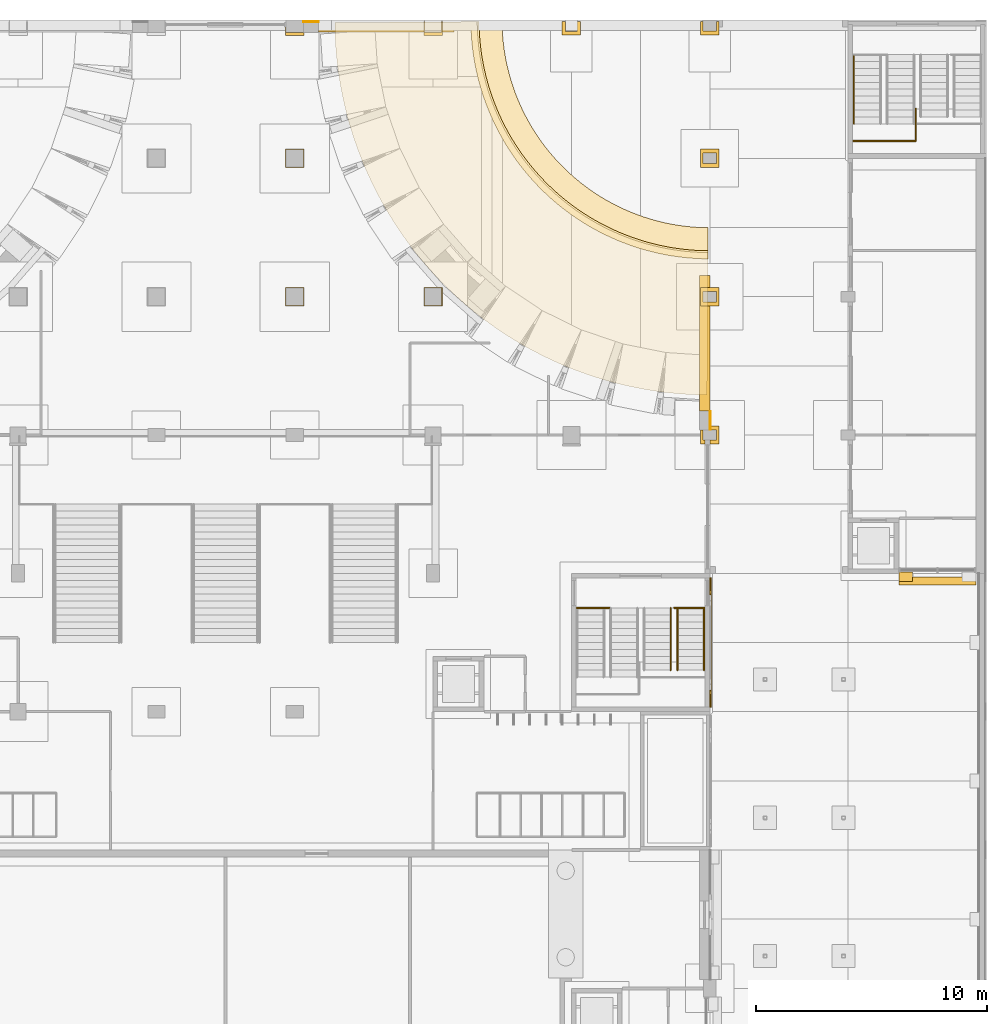
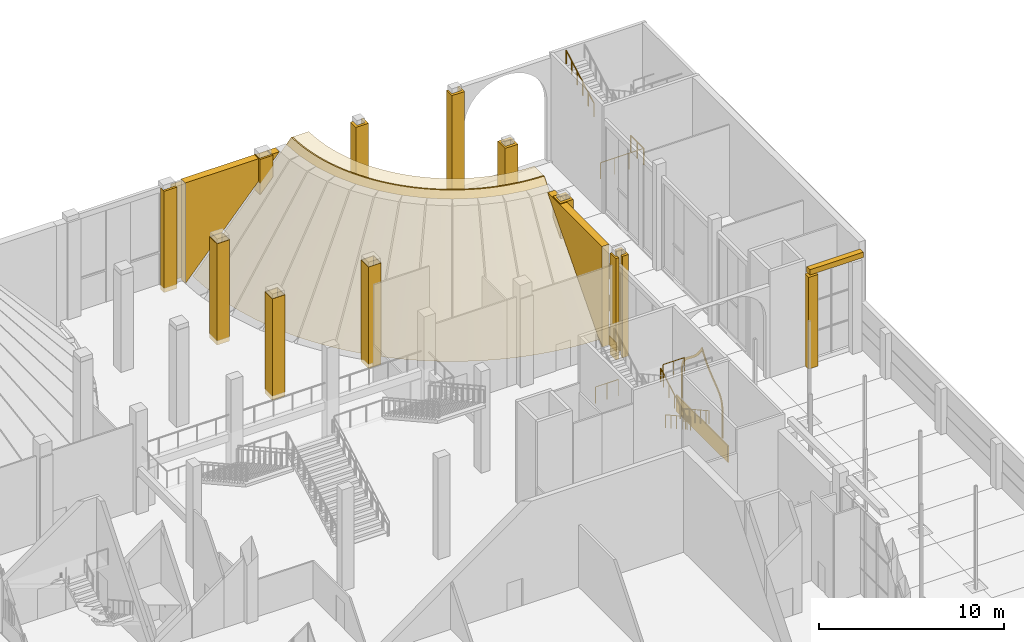
# One storey, part 88 of 95: 24 coverings, 8 railings.
"""IFC4 building model written with IfcOpenShell, lengths in metres."""

from ifc_helpers import new_model, entity, si_unit, direction, frame, origin, origin_2d, place, context, subcontext, project, spatial, polyline, rectangle, circle, outline, extrude, material, layer, layer_set, type_object, element, save


model = new_model("IFC4")

# Units and contexts
model_context = context("Model", 3, precision=1e-05, world=origin(), true_north=direction((0.0, 1.0)))
body_context = subcontext(model_context, "Body", "Model", "MODEL_VIEW")
ifc_project = project(units=[si_unit("LENGTHUNIT", "METRE"), si_unit("AREAUNIT", "SQUARE_METRE"), si_unit("VOLUMEUNIT", "CUBIC_METRE"), si_unit("PLANEANGLEUNIT", "RADIAN"), si_unit("MASSUNIT", "GRAM", prefix="KILO")], contexts=[model_context])

# Site, building, storey
site_placement = place(None, origin())
site = spatial("IfcSite", under=ifc_project, at=site_placement, CompositionType="ELEMENT")
building_placement = place(site_placement, origin())
building = spatial("IfcBuilding", under=site, at=building_placement, Name="Saffron Lane Theatres", CompositionType="ELEMENT")
storey_placement = place(building_placement, origin())
storey = spatial("IfcBuildingStorey", under=building, at=storey_placement, Name="L00", CompositionType="ELEMENT", Elevation=0.0)

# Coverings
ifc_material_1 = material(Name="Masonry sandstone", Category="masonry")
ifc_layer_1 = layer(ifc_material_1, 0.050048828125)
ifc_layer_set_1 = layer_set([ifc_layer_1], Name="Masonry sandstone")
covering_type_1 = type_object("IfcCoveringType", Name="EX-ARCH FRAME RING SANDSTONE 50", PredefinedType="CLADDING", material=ifc_layer_set_1)
covering_1_placement = place(storey_placement, frame((54.0, 96.75, 3.12890625), z_axis=(-1.0, 0.0, 0.0), x_axis=(0.0, 0.063067105822, 0.998009288616)))
element("IfcCovering", 1, at=covering_1_placement, inside=storey, type_object=covering_type_1, Name="Arch recess ring L00", PredefinedType="CLADDING", context=body_context, shape_type="SweptSolid", body=[
    extrude(outline(polyline([(0.0, 0.0), (0.22065410238359984, 0.0), (0.4187134265220611, 0.029560004583244877), (0.5977096136465027, 0.08649981821842359), (0.7591480818830546, 0.16754415025789063), (0.9059345880561891, 0.2683507081522934), (1.0436269965020135, 0.3878343914866551), (1.1763647343450248, 0.5218195761099406), (1.3079077001851873, 0.667867014636728), (1.443005808311013, 0.823719525322545), (1.5854805462929957, 0.9879124792278838), (1.74149756436062, 1.1573653473180439), (1.9128829214646568, 1.3300057147601387), (2.1051636874559483, 1.5042611719162358), (2.322602467400049, 1.6779053315271268), (2.5687309025280785, 1.848757998061501), (2.939299582482729, 2.0687451567247677), (2.5993714153662166, 2.333630674903618), (2.376708378009706, 2.5341076362624033), (2.1828581737781825, 2.733742341436499), (2.0140428055584096, 2.9308165121735614), (1.8657533124027184, 3.1236580619491425), (1.7323086520339435, 3.311402854286392), (1.6116364096191989, 3.4922248302345396), (1.4972321955910908, 3.6638441173757603), (1.3851205499528025, 3.825288798534778), (1.2703052025337076, 3.97491758167241), (1.1487491043664604, 4.110783931167464), (1.0158201165623333, 4.229266523603667), (0.8658679913294249, 4.329988531727124), (0.6954634655937679, 4.409007991296922), (0.5027007929207938, 4.463265173062263), (0.2838019761972683, 4.491041798770807), (-1.59136391374089, 4.609538978068451), (-1.6001865337691579, 4.469924885691299), (0.27108088238534517, 4.35167406227577), (0.47394468647918964, 4.32564461841539), (0.6469894341356787, 4.276792138941024), (0.7970093612615814, 4.208112062862302), (0.9298059868044842, 4.1185038925216135), (1.0502089125366965, 4.010842590258167), (1.1633656797845302, 3.885292123199643), (1.2717436291480344, 3.7421858281426754), (1.3819241364077643, 3.585021850562481), (1.4954153209604875, 3.414438770837703), (1.618203468665377, 3.2322599466484734), (1.7523763915979502, 3.0405550915570396), (1.9052310321305657, 2.842532504699245), (2.0797528345714937, 2.638982037609416), (2.279081215655327, 2.4331300879366635), (2.509399924124821, 2.2260536522840537), (2.691990151832101, 2.0843733579964816), (2.493017257964128, 1.9668051456709819), (2.238463289591504, 1.7903692228565102), (2.0148072651487468, 1.6112468863933098), (1.816050202804688, 1.4312849950160573), (1.639483808618438, 1.2540794801970379), (1.4822458162227838, 1.080789727293752), (1.3375012005243339, 0.9155170755147108), (1.203439299814951, 0.7605775943042786), (1.0743509786028422, 0.6185337089889347), (0.9488205009470336, 0.4902087668589081), (0.820759202831201, 0.3799015700062919), (0.6877613326258244, 0.28825340008036515), (0.5447409379751207, 0.21607490839936183), (0.3872687454152185, 0.16682615252251398), (0.2094508525427381, 0.1401457024385599), (0.004924146244612728, 0.13986044825926805), (-1.8663432699098903, 0.2581112716747965), (-1.8751658899381582, 0.11849717929764414), (0.0, 0.0)])), origin(), (0.0, 0.0, -1.0), 0.050048828125),
])
ifc_material_2 = material(Name="Masonry pale clay brick", Category="masonry")
ifc_layer_2 = layer(ifc_material_2, 0.449951171875)
ifc_layer_set_2 = layer_set([ifc_layer_2], Name="Masonry pale clay brick")
covering_type_2 = type_object("IfcCoveringType", Name="EX-END INFILL CLADDING BRICK 450", PredefinedType="CLADDING", material=ifc_layer_set_2)
covering_2_placement = place(storey_placement, frame((37.03173828125, 125.93994140625, 0.0), z_axis=(0.0, 1.0, 0.0), x_axis=(0.0, 0.0, 1.0)))
element("IfcCovering", 2, at=covering_2_placement, inside=storey, type_object=covering_type_2, Name="Wall end infill L00 11", PredefinedType="CLADDING", context=body_context, shape_type="SweptSolid", body=[
    extrude(outline(polyline([(0.0, 0.0), (6.64990234375, 0.0), (6.64990234375, 5.880859375), (0.0, 0.0)])), origin(), (0.0, 0.0, -1.0), 0.449951171875),
])
covering_3_placement = place(storey_placement, frame((54.0, 109.03125, 6.64990234375), z_axis=(1.0, 0.0, 0.0), x_axis=(0.0, 0.0, -1.0)))
element("IfcCovering", 3, at=covering_3_placement, inside=storey, type_object=covering_type_2, Name="Wall end infill L00 13", PredefinedType="CLADDING", context=body_context, shape_type="SweptSolid", body=[
    extrude(outline(polyline([(0.0, 0.0), (6.64990234375, 0.0), (0.0, 5.880859375), (0.0, 0.0)])), origin(), (0.0, 0.0, -1.0), 0.449951171875),
])
ifc_material_3 = material(Name="Face brick cladding, pale buff", Category="masonry")
ifc_layer_3 = layer(ifc_material_3, 0.0400390625)
ifc_layer_set_3 = layer_set([ifc_layer_3], Name="Face brick cladding, pale buff")
covering_type_3 = type_object("IfcCoveringType", Name="EX-FACE BRICK CLADDING PALE BUFF 40", PredefinedType="CLADDING", material=ifc_layer_set_3)
covering_4_placement = place(storey_placement, frame((36.702880859375, 125.919921875, 0.150146484375), z_axis=(0.0, 0.0, 1.0), x_axis=(1.0, 0.0, 0.0)))
element("IfcCovering", 4, at=covering_4_placement, inside=storey, type_object=covering_type_3, Name="Cladding course L00", PredefinedType="CLADDING", context=body_context, shape_type="SweptSolid", body=[
    extrude(rectangle(XDim=0.656982421875, YDim=0.0400390625, at=origin_2d()), origin(), (0.0, 0.0, 1.0), 6.39990234375),
])
for number, where, z_axis, x_axis, name in (
    (5, (54.02001953125, 108.6279296875, 0.14990234375), (0.0, 0.0, 1.0), (0.0, -1.0, 0.0), "Cladding course L00"),
    (6, (54.02001953125, 108.6279296875, 2.25), (0.0, 0.0, 1.0), (0.0, -1.0, 0.0), "Cladding course L00"),
    (7, (54.02001953125, 108.6279296875, 4.35009765625), (0.0, 0.0, 1.0), (0.0, -1.0, 0.0), "Cladding course L00"),
):
    element("IfcCovering", number, at=place(storey_placement, frame(where, z_axis=z_axis, x_axis=x_axis)), inside=storey, type_object=covering_type_3, Name=name, PredefinedType="CLADDING", context=body_context, shape_type="SweptSolid", body=[
        extrude(rectangle(XDim=0.805908203125, YDim=0.0400390625, at=origin_2d()), origin(), (0.0, 0.0, 1.0), 1.050048828125),
    ])
ifc_material_4 = material(Name="Face brick cladding, pale buff", Category="masonry")
ifc_layer_4 = layer(ifc_material_4, 0.10009765625)
ifc_layer_set_4 = layer_set([ifc_layer_4], Name="Face brick cladding, pale buff")
covering_type_4 = type_object("IfcCoveringType", Name="EX-PIER CASING FACE BRICK PALE BUFF 800", PredefinedType="CLADDING", material=ifc_layer_set_4)
covering_5_placement = place(storey_placement, origin())
element("IfcCovering", 8, at=covering_5_placement, inside=storey, type_object=covering_type_4, Name="Pier casing L00 3", PredefinedType="CLADDING", context=body_context, shape_type="SweptSolid", body=[
    extrude(outline(polyline([(54.39990234375, 108.39990234375), (54.00390625, 108.39990234375), (54.00390625, 108.22509765625), (54.00390625, 108.22509765625), (54.300048828125, 108.22509765625), (54.300048828125, 107.77490234375), (54.00390625, 107.77490234375), (54.00390625, 107.77490234375), (54.00390625, 107.60009765625), (54.39990234375, 107.60009765625), (54.39990234375, 108.39990234375)])), origin(), (0.0, 0.0, 1.0), 6.699951171875),
])
covering_6_placement = place(storey_placement, origin())
element("IfcCovering", 9, at=covering_6_placement, inside=storey, type_object=covering_type_4, Name="Pier casing L00 4", PredefinedType="CLADDING", context=body_context, shape_type="SweptSolid", body=[
    extrude(outline(polyline([(53.60009765625, 107.60009765625), (53.7958984375, 107.60009765625), (53.7958984375, 107.77490234375), (53.7958984375, 107.77490234375), (53.699951171875, 107.77490234375), (53.699951171875, 108.22119140625), (53.60009765625, 108.22119140625), (53.60009765625, 107.60009765625)])), origin(), (0.0, 0.0, 1.0), 6.699951171875),
])
covering_7_placement = place(storey_placement, origin())
element("IfcCovering", 10, at=covering_7_placement, inside=storey, type_object=covering_type_4, Name="Pier casing L00 8", PredefinedType="CLADDING", context=body_context, shape_type="SweptSolid", body=[
    extrude(outline(polyline([(36.39990234375, 114.39990234375), (35.60009765625, 114.39990234375), (35.60009765625, 113.60009765625), (36.39990234375, 113.60009765625), (36.39990234375, 114.39990234375)]), holes=[polyline([(35.625, 114.375), (36.375, 114.375), (36.375, 113.625), (35.625, 113.625), (35.625, 114.375)])]), origin(), (0.0, 0.0, 1.0), 6.699951171875),
])
covering_8_placement = place(storey_placement, origin())
element("IfcCovering", 11, at=covering_8_placement, inside=storey, type_object=covering_type_4, Name="Pier casing L00 9", PredefinedType="CLADDING", context=body_context, shape_type="SweptSolid", body=[
    extrude(outline(polyline([(42.39990234375, 114.39990234375), (41.60009765625, 114.39990234375), (41.60009765625, 113.60009765625), (42.39990234375, 113.60009765625), (42.39990234375, 114.39990234375)]), holes=[polyline([(41.625, 114.375), (42.375, 114.375), (42.375, 113.625), (41.625, 113.625), (41.625, 114.375)])]), origin(), (0.0, 0.0, 1.0), 6.699951171875),
])
covering_9_placement = place(storey_placement, origin())
element("IfcCovering", 12, at=covering_9_placement, inside=storey, type_object=covering_type_4, Name="Pier casing L00 10", PredefinedType="CLADDING", context=body_context, shape_type="SweptSolid", body=[
    extrude(outline(polyline([(54.39990234375, 114.39990234375), (53.60009765625, 114.39990234375), (53.60009765625, 113.60009765625), (54.39990234375, 113.60009765625), (54.39990234375, 114.39990234375)]), holes=[polyline([(53.699951171875, 114.22509765625), (54.300048828125, 114.22509765625), (54.300048828125, 113.77490234375), (53.699951171875, 113.77490234375), (53.699951171875, 114.22509765625)])]), origin(), (0.0, 0.0, 1.0), 6.699951171875),
])
covering_10_placement = place(storey_placement, origin())
element("IfcCovering", 13, at=covering_10_placement, inside=storey, type_object=covering_type_4, Name="Pier casing L00 13", PredefinedType="CLADDING", context=body_context, shape_type="SweptSolid", body=[
    extrude(outline(polyline([(36.39990234375, 120.39990234375), (35.60009765625, 120.39990234375), (35.60009765625, 119.60009765625), (36.39990234375, 119.60009765625), (36.39990234375, 120.39990234375)]), holes=[polyline([(35.625, 120.375), (36.375, 120.375), (36.375, 119.625), (35.625, 119.625), (35.625, 120.375)])]), origin(), (0.0, 0.0, 1.0), 6.699951171875),
])
covering_11_placement = place(storey_placement, origin())
element("IfcCovering", 14, at=covering_11_placement, inside=storey, type_object=covering_type_4, Name="Pier casing L00 14", PredefinedType="CLADDING", context=body_context, shape_type="SweptSolid", body=[
    extrude(outline(polyline([(54.39990234375, 120.39990234375), (53.60009765625, 120.39990234375), (53.60009765625, 119.60009765625), (54.39990234375, 119.60009765625), (54.39990234375, 120.39990234375)]), holes=[polyline([(53.699951171875, 120.22509765625), (54.300048828125, 120.22509765625), (54.300048828125, 119.77490234375), (53.699951171875, 119.77490234375), (53.699951171875, 120.22509765625)])]), origin(), (0.0, 0.0, 1.0), 6.699951171875),
])
covering_12_placement = place(storey_placement, origin())
element("IfcCovering", 15, at=covering_12_placement, inside=storey, type_object=covering_type_4, Name="Pier casing L00 19", PredefinedType="CLADDING", context=body_context, shape_type="SweptSolid", body=[
    extrude(outline(polyline([(35.60009765625, 125.696044921875), (35.60009765625, 125.324462890625), (36.39990234375, 125.324462890625), (36.39990234375, 125.446044921875), (36.375, 125.446044921875), (36.37451171875, 125.446044921875), (36.374267578125, 125.446044921875), (36.373779296875, 125.4462890625), (36.37353515625, 125.4462890625), (36.373046875, 125.446533203125), (36.372802734375, 125.44677734375), (36.37255859375, 125.447021484375), (36.3720703125, 125.447265625), (36.371826171875, 125.447509765625), (36.37158203125, 125.44775390625), (36.37158203125, 125.4482421875), (36.371337890625, 125.448486328125), (36.37109375, 125.448974609375), (36.37109375, 125.44921875), (36.37109375, 125.449462890625), (35.625, 125.449462890625), (35.625, 125.696044921875), (35.60009765625, 125.696044921875)])), origin(), (0.0, 0.0, 1.0), 6.699951171875),
])
covering_13_placement = place(storey_placement, origin())
element("IfcCovering", 16, at=covering_13_placement, inside=storey, type_object=covering_type_4, Name="Pier casing L00 20", PredefinedType="CLADDING", context=body_context, shape_type="SweptSolid", body=[
    extrude(outline(polyline([(41.60009765625, 125.93994140625), (41.60009765625, 125.324462890625), (42.39990234375, 125.324462890625), (42.39990234375, 125.93994140625), (42.375, 125.93994140625), (42.375, 125.449462890625), (41.625, 125.449462890625), (41.625, 125.93994140625), (41.60009765625, 125.93994140625)])), origin(), (0.0, 0.0, 1.0), 6.699951171875),
])
covering_14_placement = place(storey_placement, origin())
element("IfcCovering", 17, at=covering_14_placement, inside=storey, type_object=covering_type_4, Name="Pier casing L00 21", PredefinedType="CLADDING", context=body_context, shape_type="SweptSolid", body=[
    extrude(outline(polyline([(47.60009765625, 125.93994140625), (47.60009765625, 125.349609375), (48.39990234375, 125.349609375), (48.39990234375, 125.93994140625), (48.25, 125.93994140625), (48.25, 125.49951171875), (47.75, 125.49951171875), (47.75, 125.93994140625), (47.60009765625, 125.93994140625)])), origin(), (0.0, 0.0, 1.0), 6.699951171875),
])
covering_15_placement = place(storey_placement, origin())
element("IfcCovering", 18, at=covering_15_placement, inside=storey, type_object=covering_type_4, Name="Pier casing L00 22", PredefinedType="CLADDING", context=body_context, shape_type="SweptSolid", body=[
    extrude(outline(polyline([(53.60009765625, 125.93994140625), (53.60009765625, 125.349609375), (54.39990234375, 125.349609375), (54.39990234375, 125.93994140625), (54.300048828125, 125.93994140625), (54.300048828125, 125.5244140625), (53.699951171875, 125.5244140625), (53.699951171875, 125.93994140625), (53.60009765625, 125.93994140625)])), origin(), (0.0, 0.0, 1.0), 6.699951171875),
])
ifc_material_5 = material(Name="Masonry sandstone", Category="masonry")
ifc_layer_5 = layer(ifc_material_5, 0.39990234375)
ifc_layer_set_5 = layer_set([ifc_layer_5], Name="Masonry sandstone")
covering_type_5 = type_object("IfcCoveringType", Name="EX-PILASTER PIER SANDSTONE 400", PredefinedType="CLADDING", material=ifc_layer_set_5)
covering_16_placement = place(storey_placement, frame((62.5, 101.85009765625, 0.0), z_axis=(0.0, 0.0, 1.0), x_axis=(-1.0, 0.0, 0.0)))
element("IfcCovering", 19, at=covering_16_placement, inside=storey, type_object=covering_type_5, Name="Pilaster pier L00", PredefinedType="CLADDING", context=body_context, shape_type="SweptSolid", body=[
    extrude(rectangle(XDim=0.60009765625, YDim=0.39990234375, at=origin_2d()), origin(), (0.0, 0.0, 1.0), 6.050048828125),
])
ifc_material_6 = material(Name="Masonry bluestone", Category="masonry")
ifc_layer_6 = layer(ifc_material_6, 0.0400390625)
ifc_layer_set_6 = layer_set([ifc_layer_6], Name="Masonry bluestone")
covering_type_6 = type_object("IfcCoveringType", Name="EX-PLINTH BLUESTONE 600", PredefinedType="CLADDING", material=ifc_layer_set_6)
covering_17_placement = place(storey_placement, frame((54.02001953125, 108.628173828125, 0.0), z_axis=(0.0, 0.0, 1.0), x_axis=(0.0, -1.0, 0.0)))
element("IfcCovering", 20, at=covering_17_placement, inside=storey, type_object=covering_type_6, Name="Facade plinth L00", PredefinedType="CLADDING", context=body_context, shape_type="SweptSolid", body=[
    extrude(rectangle(XDim=0.80615234375, YDim=0.0400390625, at=origin_2d()), origin(), (0.0, 0.0, 1.0), 0.60009765625),
])
ifc_material_7 = material(Name="Masonry sandstone", Category="masonry")
ifc_layer_7 = layer(ifc_material_7, 0.070068359375)
ifc_layer_set_7 = layer_set([ifc_layer_7], Name="Masonry sandstone")
covering_type_7 = type_object("IfcCoveringType", Name="EX-PLINTH COURSE SANDSTONE 70", PredefinedType="CLADDING", material=ifc_layer_set_7)
covering_18_placement = place(storey_placement, frame((54.034912109375, 99.0, 0.0), z_axis=(0.0, 0.0, 1.0), x_axis=(0.0, 1.0, 0.0)))
element("IfcCovering", 21, at=covering_18_placement, inside=storey, type_object=covering_type_7, Name="Plinth course L00", PredefinedType="CLADDING", context=body_context, shape_type="SweptSolid", body=[
    extrude(rectangle(XDim=5.60009765625, YDim=0.070068359375, at=origin_2d()), origin(), (0.0, 0.0, 1.0), 1.10009765625),
])
ifc_material_8 = material(Name="Face brick cladding, pale buff", Category="masonry")
ifc_layer_8 = layer(ifc_material_8, 0.080078125)
ifc_layer_set_8 = layer_set([ifc_layer_8], Name="Face brick cladding, pale buff")
covering_type_8 = type_object("IfcCoveringType", Name="EX-SCOOP SKIN FACE BRICK PALE BUFF 80", PredefinedType="CLADDING", material=ifc_layer_set_8)
covering_19_placement = place(storey_placement, frame((54.0, 125.99951171875, 0.0), z_axis=(0.0, 0.0, 1.0), x_axis=(-0.999976, -0.006995, 0.0)))
cartesian_point_1 = entity("IfcCartesianPoint", [16.18505859375, 0.0])
cartesian_point_2 = entity("IfcCartesianPoint", [0.0, 0.0, 0.0])
element("IfcCovering", 22, at=covering_19_placement, inside=storey, type_object=covering_type_8, Name="Scoop skin NE L00", PredefinedType="CLADDING", context=body_context, shape_type="SweptSolid", body=[
    entity("IfcRevolvedAreaSolid", entity("IfcArbitraryClosedProfileDef", "AREA", None, entity("IfcPolyline", [cartesian_point_1, entity("IfcCartesianPoint", [16.26513671875, 0.0]), entity("IfcCartesianPoint", [10.087890625, 7.0]), entity("IfcCartesianPoint", [10.0078125, 7.0]), cartesian_point_1])), entity("IfcAxis2Placement3D", cartesian_point_2, entity("IfcDirection", [0.0, -1.0, 0.0]), entity("IfcDirection", [1.0, 0.0, 0.0])), entity("IfcAxis1Placement", cartesian_point_2, entity("IfcDirection", [0.0, 1.0, 0.0])), 1.556807),
])
ifc_material_9 = material(Name="Masonry sandstone", Category="masonry")
ifc_layer_9 = layer(ifc_material_9, 0.39990234375)
ifc_layer_set_9 = layer_set([ifc_layer_9], Name="Masonry sandstone")
covering_type_9 = type_object("IfcCoveringType", Name="EX-SCOOP STEP SANDSTONE 700", PredefinedType="CLADDING", material=ifc_layer_set_9)
covering_20_placement = place(storey_placement, frame((54.0, 125.99951171875, 0.0), z_axis=(0.0, 0.0, 1.0), x_axis=(-0.99997, -0.007771, 0.0)))
cartesian_point_3 = entity("IfcCartesianPoint", [9.0078125, 6.60009765625])
cartesian_point_4 = entity("IfcCartesianPoint", [0.0, 0.0, 0.0])
element("IfcCovering", 23, at=covering_20_placement, inside=storey, type_object=covering_type_9, Name="Floor step NE L01", PredefinedType="CLADDING", context=body_context, shape_type="SweptSolid", body=[
    entity("IfcRevolvedAreaSolid", entity("IfcArbitraryClosedProfileDef", "AREA", None, entity("IfcPolyline", [cartesian_point_3, entity("IfcCartesianPoint", [10.36083984375, 6.60009765625]), entity("IfcCartesianPoint", [10.0078125, 7.0]), entity("IfcCartesianPoint", [9.0078125, 7.0]), cartesian_point_3])), entity("IfcAxis2Placement3D", cartesian_point_4, entity("IfcDirection", [0.0, -1.0, 0.0]), entity("IfcDirection", [1.0, 0.0, 0.0])), entity("IfcAxis1Placement", cartesian_point_4, entity("IfcDirection", [0.0, 1.0, 0.0])), 1.555254),
])
ifc_material_10 = material(Name="Masonry sandstone", Category="masonry")
ifc_layer_10 = layer(ifc_material_10, 0.300048828125)
ifc_layer_set_10 = layer_set([ifc_layer_10], Name="Masonry sandstone")
covering_type_10 = type_object("IfcCoveringType", Name="EX-STRING COURSE SANDSTONE 350", PredefinedType="CLADDING", material=ifc_layer_set_10)
covering_21_placement = place(storey_placement, frame((63.8701171875, 101.675048828125, 6.300048828125), z_axis=(0.0, 0.0, 1.0), x_axis=(-1.0, 0.0, 0.0)))
element("IfcCovering", 24, at=covering_21_placement, inside=storey, type_object=covering_type_10, Name="String course L00", PredefinedType="CLADDING", context=body_context, shape_type="SweptSolid", body=[
    extrude(rectangle(XDim=3.340087890625, YDim=0.35009765625, at=origin_2d()), origin(), (0.0, 0.0, 1.0), 0.35009765625),
])

# Railings
ifc_material_11 = material(Name="Steel Grade 350", Category="steel")
railing_type_1 = type_object("IfcRailingType", Name="VC-GUARD 1100", PredefinedType="GUARDRAIL", material=ifc_material_11)
railing_1_placement = place(storey_placement, frame((53.77001953125, 100.5, 3.333251953125)))
element("IfcRailing", 25, at=railing_1_placement, inside=storey, type_object=railing_type_1, Name="Brick Block East Stair landing guard 1S2w", PredefinedType="GUARDRAIL", context=body_context, shape_type="SweptSolid", body=[
    extrude(circle(Radius=0.02392578125, at=origin_2d()), frame((0.0, 0.0, 1.076171875), z_axis=(-1.0, 0.0, 0.0), x_axis=(0.0, -1.0, 0.0)), (0.0, 0.0, 1.0), 1.320068359375),
    extrude(circle(Radius=0.02099609375, at=origin_2d()), origin(), (0.0, 0.0, 1.0), 1.052001953125),
    extrude(circle(Radius=0.02099609375, at=origin_2d()), frame((-0.66015625, 0.0, 0.0)), (0.0, 0.0, 1.0), 1.052001953125),
    extrude(circle(Radius=0.02099609375, at=origin_2d()), frame((-1.320068359375, 0.0, 0.0)), (0.0, 0.0, 1.0), 1.052001953125),
])
railing_2_placement = place(storey_placement, frame((49.64990234375, 100.5, 3.333251953125)))
element("IfcRailing", 26, at=railing_2_placement, inside=storey, type_object=railing_type_1, Name="Brick Block East Stair landing guard 1S2e", PredefinedType="GUARDRAIL", context=body_context, shape_type="SweptSolid", body=[
    extrude(circle(Radius=0.02392578125, at=origin_2d()), frame((0.0, 0.0, 1.076171875), z_axis=(-1.0, 0.0, 0.0), x_axis=(0.0, -1.0, 0.0)), (0.0, 0.0, 1.0), 1.419921875),
    extrude(circle(Radius=0.02099609375, at=origin_2d()), origin(), (0.0, 0.0, 1.0), 1.052001953125),
    extrude(circle(Radius=0.02099609375, at=origin_2d()), frame((-0.7099609375, 0.0, 0.0)), (0.0, 0.0, 1.0), 1.052001953125),
    extrude(circle(Radius=0.02099609375, at=origin_2d()), frame((-1.419921875, 0.0, 0.0)), (0.0, 0.0, 1.0), 1.052001953125),
])
railing_3_placement = place(storey_placement, frame((62.89990234375, 120.75, 1.666748046875)))
element("IfcRailing", 27, at=railing_3_placement, inside=storey, type_object=railing_type_1, Name="East Wing Street Stair landing guard 1N1s", PredefinedType="GUARDRAIL", context=body_context, shape_type="SweptSolid", body=[
    extrude(circle(Radius=0.02392578125, at=origin_2d()), frame((0.0, 0.0, 1.076171875), z_axis=(-1.0, 0.0, 0.0), x_axis=(0.0, -1.0, 0.0)), (0.0, 0.0, 1.0), 2.669921875),
    extrude(circle(Radius=0.02099609375, at=origin_2d()), origin(), (0.0, 0.0, 1.0), 1.052001953125),
    extrude(circle(Radius=0.02099609375, at=origin_2d()), frame((-0.889892578125, 0.0, 0.0)), (0.0, 0.0, 1.0), 1.052001953125),
    extrude(circle(Radius=0.02099609375, at=origin_2d()), frame((-1.780029296875, 0.0, 0.0)), (0.0, 0.0, 1.0), 1.052001953125),
    extrude(circle(Radius=0.02099609375, at=origin_2d()), frame((-2.669921875, 0.0, 0.0)), (0.0, 0.0, 1.0), 1.052001953125),
])
railing_4_placement = place(storey_placement, frame((62.929931640625, 122.14990234375, 1.666748046875)))
element("IfcRailing", 28, at=railing_4_placement, inside=storey, type_object=railing_type_1, Name="East Wing Street Stair landing guard 1N1e", PredefinedType="GUARDRAIL", context=body_context, shape_type="SweptSolid", body=[
    extrude(circle(Radius=0.02392578125, at=origin_2d()), frame((0.0, 0.0, 1.076171875), z_axis=(0.0, -1.0, 0.0), x_axis=(1.0, 0.0, 0.0)), (0.0, 0.0, 1.0), 1.39990234375),
    extrude(circle(Radius=0.02099609375, at=origin_2d()), origin(), (0.0, 0.0, 1.0), 1.052001953125),
    extrude(circle(Radius=0.02099609375, at=origin_2d()), frame((0.0, -0.699951171875, 0.0)), (0.0, 0.0, 1.0), 1.052001953125),
    extrude(circle(Radius=0.02099609375, at=origin_2d()), frame((0.0, -1.39990234375, 0.0)), (0.0, 0.0, 1.0), 1.052001953125),
])
ifc_material_12 = material(Name="Steel Grade 350", Category="steel")
railing_type_2 = type_object("IfcRailingType", Name="VC-HANDRAIL 900", PredefinedType="HANDRAIL", material=ifc_material_12)
railing_5_placement = place(storey_placement, frame((53.75, 100.5, 0.166748046875)))
element("IfcRailing", 29, at=railing_5_placement, inside=storey, type_object=railing_type_2, Name="Brick Block East Stair handrail 1.1a", PredefinedType="HANDRAIL", context=body_context, shape_type="SweptSolid", body=[
    extrude(circle(Radius=0.02392578125, at=origin_2d()), frame((0.0, 0.0, 0.8759765625), z_axis=(0.0, -0.874241147926, 0.485491931212), x_axis=(1.0, 0.0, 0.0)), (0.0, 0.0, 1.0), 0.6865234375),
    extrude(circle(Radius=0.02392578125, at=origin_2d()), frame((0.0, -0.60009765625, 1.208984375), z_axis=(0.0, -0.874157276122, 0.485642931179), x_axis=(1.0, 0.0, 0.0)), (0.0, 0.0, 1.0), 0.686279296875),
    extrude(circle(Radius=0.02392578125, at=origin_2d()), frame((0.0, -1.199951171875, 1.54248046875), z_axis=(0.0, -0.874090171491, 0.485763699861), x_axis=(1.0, 0.0, 0.0)), (0.0, 0.0, 1.0), 0.6865234375),
    extrude(circle(Radius=0.02392578125, at=origin_2d()), frame((0.0, -1.800048828125, 1.8759765625), z_axis=(0.0, -0.874157276122, 0.485642931179), x_axis=(1.0, 0.0, 0.0)), (0.0, 0.0, 1.0), 0.686279296875),
    extrude(circle(Radius=0.02392578125, at=origin_2d()), frame((0.0, -2.39990234375, 2.208984375), z_axis=(0.0, -0.874090171491, 0.485763699861), x_axis=(1.0, 0.0, 0.0)), (0.0, 0.0, 1.0), 0.34326171875),
    extrude(circle(Radius=0.02099609375, at=origin_2d()), origin(), (0.0, 0.0, 1.0), 0.851806640625),
    extrude(circle(Radius=0.02099609375, at=origin_2d()), frame((0.0, -0.60009765625, 0.333251953125)), (0.0, 0.0, 1.0), 0.851806640625),
    extrude(circle(Radius=0.02099609375, at=origin_2d()), frame((0.0, -1.199951171875, 0.66650390625)), (0.0, 0.0, 1.0), 0.851806640625),
    extrude(circle(Radius=0.02099609375, at=origin_2d()), frame((0.0, -1.800048828125, 1.0)), (0.0, 0.0, 1.0), 0.851806640625),
    extrude(circle(Radius=0.02099609375, at=origin_2d()), frame((0.0, -2.39990234375, 1.333251953125)), (0.0, 0.0, 1.0), 0.851806640625),
    extrude(circle(Radius=0.02099609375, at=origin_2d()), frame((0.0, -2.699951171875, 1.5)), (0.0, 0.0, 1.0), 0.851806640625),
])
railing_6_placement = place(storey_placement, frame((52.60009765625, 100.5, 0.166748046875)))
element("IfcRailing", 30, at=railing_6_placement, inside=storey, type_object=railing_type_2, Name="Brick Block East Stair handrail 1.1b", PredefinedType="HANDRAIL", context=body_context, shape_type="SweptSolid", body=[
    extrude(circle(Radius=0.02392578125, at=origin_2d()), frame((0.0, 0.0, 0.8759765625), z_axis=(0.0, -0.874241147926, 0.485491931212), x_axis=(1.0, 0.0, 0.0)), (0.0, 0.0, 1.0), 0.6865234375),
    extrude(circle(Radius=0.02392578125, at=origin_2d()), frame((0.0, -0.60009765625, 1.208984375), z_axis=(0.0, -0.874157276122, 0.485642931179), x_axis=(1.0, 0.0, 0.0)), (0.0, 0.0, 1.0), 0.686279296875),
    extrude(circle(Radius=0.02392578125, at=origin_2d()), frame((0.0, -1.199951171875, 1.54248046875), z_axis=(0.0, -0.874090171491, 0.485763699861), x_axis=(1.0, 0.0, 0.0)), (0.0, 0.0, 1.0), 0.6865234375),
    extrude(circle(Radius=0.02392578125, at=origin_2d()), frame((0.0, -1.800048828125, 1.8759765625), z_axis=(0.0, -0.874157276122, 0.485642931179), x_axis=(1.0, 0.0, 0.0)), (0.0, 0.0, 1.0), 0.686279296875),
    extrude(circle(Radius=0.02392578125, at=origin_2d()), frame((0.0, -2.39990234375, 2.208984375), z_axis=(0.0, -0.874090171491, 0.485763699861), x_axis=(1.0, 0.0, 0.0)), (0.0, 0.0, 1.0), 0.34326171875),
    extrude(circle(Radius=0.02099609375, at=origin_2d()), origin(), (0.0, 0.0, 1.0), 0.851806640625),
    extrude(circle(Radius=0.02099609375, at=origin_2d()), frame((0.0, -0.60009765625, 0.333251953125)), (0.0, 0.0, 1.0), 0.851806640625),
    extrude(circle(Radius=0.02099609375, at=origin_2d()), frame((0.0, -1.199951171875, 0.66650390625)), (0.0, 0.0, 1.0), 0.851806640625),
    extrude(circle(Radius=0.02099609375, at=origin_2d()), frame((0.0, -1.800048828125, 1.0)), (0.0, 0.0, 1.0), 0.851806640625),
    extrude(circle(Radius=0.02099609375, at=origin_2d()), frame((0.0, -2.39990234375, 1.333251953125)), (0.0, 0.0, 1.0), 0.851806640625),
    extrude(circle(Radius=0.02099609375, at=origin_2d()), frame((0.0, -2.699951171875, 1.5)), (0.0, 0.0, 1.0), 0.851806640625),
])
railing_7_placement = place(storey_placement, frame((52.300048828125, 97.800048828125, 1.833251953125)))
element("IfcRailing", 31, at=railing_7_placement, inside=storey, type_object=railing_type_2, Name="Brick Block East Stair handrail 1.2a", PredefinedType="HANDRAIL", context=body_context, shape_type="SweptSolid", body=[
    extrude(circle(Radius=0.02392578125, at=origin_2d()), frame((0.0, 0.0, 0.8759765625), z_axis=(0.0, 0.874006220275, 0.485914732151), x_axis=(-1.0, 0.0, 0.0)), (0.0, 0.0, 1.0), 0.686279296875),
    extrude(circle(Radius=0.02392578125, at=origin_2d()), frame((0.0, 0.599853515625, 1.20947265625), z_axis=(0.0, 0.874241147926, 0.485491931212), x_axis=(-1.0, 0.0, 0.0)), (0.0, 0.0, 1.0), 0.6865234375),
    extrude(circle(Radius=0.02392578125, at=origin_2d()), frame((0.0, 1.199951171875, 1.54248046875), z_axis=(0.0, 0.874241147926, 0.485491931212), x_axis=(-1.0, 0.0, 0.0)), (0.0, 0.0, 1.0), 0.6865234375),
    extrude(circle(Radius=0.02392578125, at=origin_2d()), frame((0.0, 1.800048828125, 1.8759765625), z_axis=(0.0, 0.874006220275, 0.485914732151), x_axis=(-1.0, 0.0, 0.0)), (0.0, 0.0, 1.0), 0.686279296875),
    extrude(circle(Radius=0.02392578125, at=origin_2d()), frame((0.0, 2.39990234375, 2.20947265625), z_axis=(0.0, 0.87439209197, 0.485220021744), x_axis=(-1.0, 0.0, 0.0)), (0.0, 0.0, 1.0), 0.34326171875),
    extrude(circle(Radius=0.02099609375, at=origin_2d()), origin(), (0.0, 0.0, 1.0), 0.851806640625),
    extrude(circle(Radius=0.02099609375, at=origin_2d()), frame((0.0, 0.599853515625, 0.33349609375)), (0.0, 0.0, 1.0), 0.851806640625),
    extrude(circle(Radius=0.02099609375, at=origin_2d()), frame((0.0, 1.199951171875, 0.666748046875)), (0.0, 0.0, 1.0), 0.851806640625),
    extrude(circle(Radius=0.02099609375, at=origin_2d()), frame((0.0, 1.800048828125, 1.0)), (0.0, 0.0, 1.0), 0.851806640625),
    extrude(circle(Radius=0.02099609375, at=origin_2d()), frame((0.0, 2.39990234375, 1.33349609375)), (0.0, 0.0, 1.0), 0.851806640625),
    extrude(circle(Radius=0.02099609375, at=origin_2d()), frame((0.0, 2.699951171875, 1.5)), (0.0, 0.0, 1.0), 0.851806640625),
])
railing_8_placement = place(storey_placement, frame((60.25, 121.5, 5.333251953125)))
element("IfcRailing", 32, at=railing_8_placement, inside=storey, type_object=railing_type_2, Name="East Wing Street Stair handrail 1.4b", PredefinedType="HANDRAIL", context=body_context, shape_type="SweptSolid", body=[
    extrude(circle(Radius=0.02392578125, at=origin_2d()), frame((0.0, 0.0, 0.8759765625), z_axis=(0.0, 0.874090171491, 0.485763699861), x_axis=(-1.0, 0.0, 0.0)), (0.0, 0.0, 1.0), 0.6865234375),
    extrude(circle(Radius=0.02392578125, at=origin_2d()), frame((0.0, 0.60009765625, 1.20947265625), z_axis=(0.0, 0.874157276122, 0.485642931179), x_axis=(-1.0, 0.0, 0.0)), (0.0, 0.0, 1.0), 0.686279296875),
    extrude(circle(Radius=0.02392578125, at=origin_2d()), frame((0.0, 1.199951171875, 1.54248046875), z_axis=(0.0, 0.874241147926, 0.485491931212), x_axis=(-1.0, 0.0, 0.0)), (0.0, 0.0, 1.0), 0.6865234375),
    extrude(circle(Radius=0.02392578125, at=origin_2d()), frame((0.0, 1.800048828125, 1.8759765625), z_axis=(0.0, 0.874006220275, 0.485914732151), x_axis=(-1.0, 0.0, 0.0)), (0.0, 0.0, 1.0), 0.686279296875),
    extrude(circle(Radius=0.02392578125, at=origin_2d()), frame((0.0, 2.39990234375, 2.20947265625), z_axis=(0.0, 0.874241147926, 0.485491931212), x_axis=(-1.0, 0.0, 0.0)), (0.0, 0.0, 1.0), 0.6865234375),
    extrude(circle(Radius=0.02099609375, at=origin_2d()), origin(), (0.0, 0.0, 1.0), 0.851806640625),
    extrude(circle(Radius=0.02099609375, at=origin_2d()), frame((0.0, 0.60009765625, 0.33349609375)), (0.0, 0.0, 1.0), 0.851806640625),
    extrude(circle(Radius=0.02099609375, at=origin_2d()), frame((0.0, 1.199951171875, 0.666748046875)), (0.0, 0.0, 1.0), 0.851806640625),
    extrude(circle(Radius=0.02099609375, at=origin_2d()), frame((0.0, 1.800048828125, 1.0)), (0.0, 0.0, 1.0), 0.851806640625),
    extrude(circle(Radius=0.02099609375, at=origin_2d()), frame((0.0, 2.39990234375, 1.33349609375)), (0.0, 0.0, 1.0), 0.851806640625),
    extrude(circle(Radius=0.02099609375, at=origin_2d()), frame((0.0, 3.0, 1.666748046875)), (0.0, 0.0, 1.0), 0.851806640625),
])

save(model, "model.ifc")
